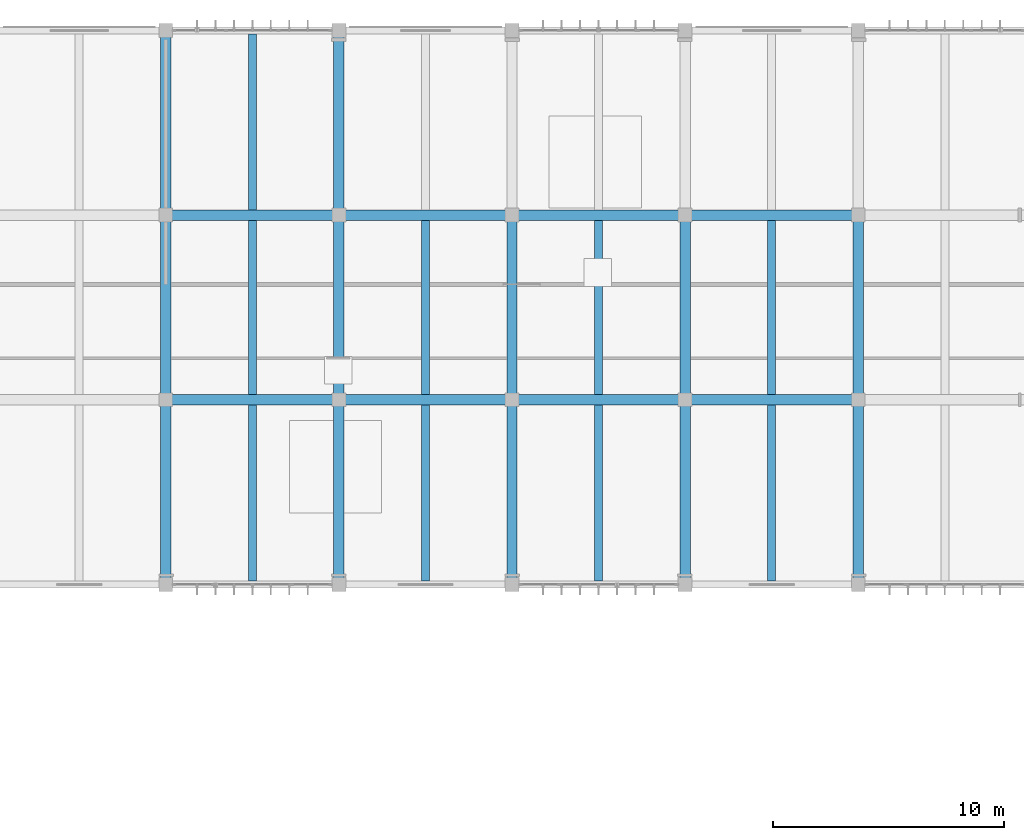
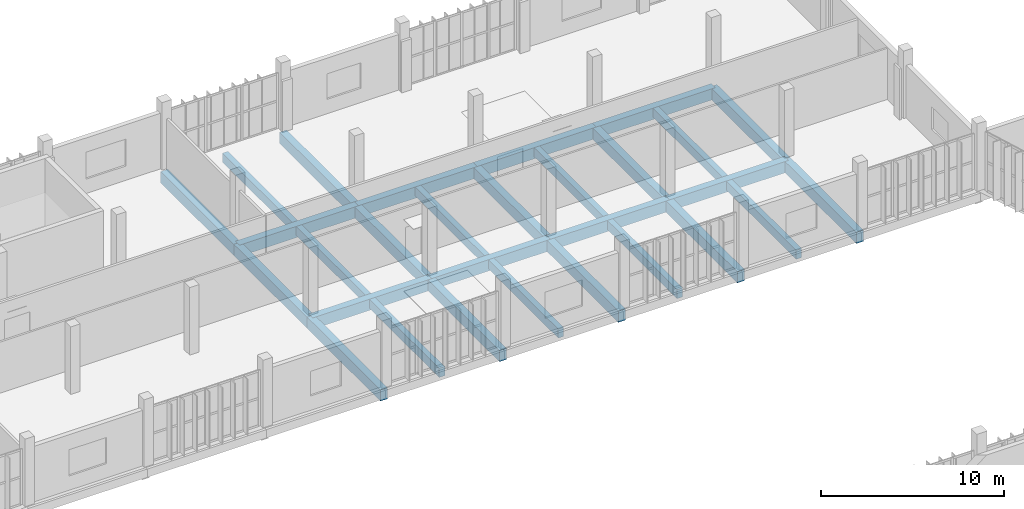
# One storey, part 25 of 81: 29 beams.
"""IFC4 building model written with IfcOpenShell, lengths in metres."""

from ifc_helpers import new_model, si_unit, direction, frame, origin, origin_2d, place, context, subcontext, project, spatial, rectangle, extrude, material, material_profile, profile_set, type_object, element, save


model = new_model("IFC4")

# Units and contexts
model_context = context("Model", 3, precision=1e-05, world=origin(), true_north=direction((0.0, 1.0)))
body_context = subcontext(model_context, "Body", "Model", "MODEL_VIEW")
ifc_project = project(units=[si_unit("LENGTHUNIT", "METRE"), si_unit("AREAUNIT", "SQUARE_METRE"), si_unit("VOLUMEUNIT", "CUBIC_METRE"), si_unit("PLANEANGLEUNIT", "RADIAN"), si_unit("MASSUNIT", "GRAM", prefix="KILO")], contexts=[model_context])

# Site, building, storey
site_placement = place(None, origin())
site = spatial("IfcSite", under=ifc_project, at=site_placement, CompositionType="ELEMENT")
building_placement = place(site_placement, origin())
building = spatial("IfcBuilding", under=site, at=building_placement, Name="Vourika Railside Aquatics Centre", CompositionType="ELEMENT")
storey_placement = place(building_placement, frame((0.0, 0.0, 4.800048828125)))
storey = spatial("IfcBuildingStorey", under=building, at=storey_placement, Name="L01", CompositionType="ELEMENT", Elevation=4.800048828125)

# Beams
ifc_material = material(Name="Concrete C35/45", Category="concrete")
ifc_material_profile_1 = material_profile(ifc_material, rectangle(XDim=0.449951171875, YDim=0.75, at=origin_2d()), Name="RC 450x750")
ifc_profile_set_1 = profile_set([ifc_material_profile_1], Name="Concrete C35/45")
beam_type_1 = type_object("IfcBeamType", Name="BM-GIRD-450x750", PredefinedType="BEAM", material=ifc_profile_set_1)
for number, where, z_axis, x_axis, name in (
    (1, (96.0, 100.0, -0.675048828125), (1.0, 0.0, 0.0), (0.0, 1.0, 0.0), "Floor Beam GX-L01-134"),
    (2, (103.5, 100.0, -0.675048828125), (1.0, 0.0, 0.0), (0.0, 1.0, 0.0), "Floor Beam GX-L01-135"),
    (3, (111.0, 100.0, -0.675048828125), (1.0, 0.0, 0.0), (0.0, 1.0, 0.0), "Floor Beam GX-L01-136"),
    (4, (118.5, 100.0, -0.675048828125), (1.0, 0.0, 0.0), (0.0, 1.0, 0.0), "Floor Beam GX-L01-137"),
    (5, (96.0, 108.0, -0.675048828125), (1.0, 0.0, 0.0), (0.0, 1.0, 0.0), "Floor Beam GX-L01-149"),
    (6, (103.5, 108.0, -0.675048828125), (1.0, 0.0, 0.0), (0.0, 1.0, 0.0), "Floor Beam GX-L01-150"),
    (7, (111.0, 108.0, -0.675048828125), (1.0, 0.0, 0.0), (0.0, 1.0, 0.0), "Floor Beam GX-L01-151"),
    (8, (118.5, 108.0, -0.675048828125), (1.0, 0.0, 0.0), (0.0, 1.0, 0.0), "Floor Beam GX-L01-152"),
):
    element("IfcBeam", number, at=place(storey_placement, frame(where, z_axis=z_axis, x_axis=x_axis)), inside=storey, type_object=beam_type_1, Name=name, PredefinedType="BEAM", context=body_context, shape_type="SweptSolid", body=[
        extrude(rectangle(XDim=0.449951171875, YDim=0.75, at=origin_2d()), origin(), (0.0, 0.0, 1.0), 7.5),
    ])
for number, where, z_axis, x_axis, name in (
    (9, (96.0, 92.0, -0.675048828125), (0.0, 1.0, 0.0), (-1.0, 0.0, 0.0), "Floor Girder GY-L01-238"),
    (10, (96.0, 100.0, -0.675048828125), (0.0, 1.0, 0.0), (-1.0, 0.0, 0.0), "Floor Girder GY-L01-239"),
    (11, (96.0, 108.0, -0.675048828125), (0.0, 1.0, 0.0), (-1.0, 0.0, 0.0), "Floor Girder GY-L01-240"),
    (12, (103.5, 92.0, -0.675048828125), (0.0, 1.0, 0.0), (-1.0, 0.0, 0.0), "Floor Girder GY-L01-244"),
    (13, (103.5, 100.0, -0.675048828125), (0.0, 1.0, 0.0), (-1.0, 0.0, 0.0), "Floor Girder GY-L01-245"),
    (14, (103.5, 108.0, -0.675048828125), (0.0, 1.0, 0.0), (-1.0, 0.0, 0.0), "Floor Girder GY-L01-246"),
    (15, (111.0, 92.0, -0.675048828125), (0.0, 1.0, 0.0), (-1.0, 0.0, 0.0), "Floor Girder GY-L01-250"),
    (16, (111.0, 100.0, -0.675048828125), (0.0, 1.0, 0.0), (-1.0, 0.0, 0.0), "Floor Girder GY-L01-251"),
    (17, (118.5, 92.0, -0.675048828125), (0.0, 1.0, 0.0), (-1.0, 0.0, 0.0), "Floor Girder GY-L01-255"),
    (18, (118.5, 100.0, -0.675048828125), (0.0, 1.0, 0.0), (-1.0, 0.0, 0.0), "Floor Girder GY-L01-256"),
    (19, (126.0, 92.0, -0.675048828125), (0.0, 1.0, 0.0), (-1.0, 0.0, 0.0), "Floor Girder GY-L01-261"),
    (20, (126.0, 100.0, -0.675048828125), (0.0, 1.0, 0.0), (-1.0, 0.0, 0.0), "Floor Girder GY-L01-262"),
):
    element("IfcBeam", number, at=place(storey_placement, frame(where, z_axis=z_axis, x_axis=x_axis)), inside=storey, type_object=beam_type_1, Name=name, PredefinedType="BEAM", context=body_context, shape_type="SweptSolid", body=[
        extrude(rectangle(XDim=0.449951171875, YDim=0.75, at=origin_2d()), origin(), (0.0, 0.0, 1.0), 8.0),
    ])
ifc_material_profile_2 = material_profile(ifc_material, rectangle(XDim=0.35009765625, YDim=0.60009765625, at=origin_2d()), Name="RC 350x600")
ifc_profile_set_2 = profile_set([ifc_material_profile_2], Name="Concrete C35/45")
beam_type_2 = type_object("IfcBeamType", Name="BM-SEC-350x600", PredefinedType="JOIST", material=ifc_profile_set_2)
for number, where, z_axis, x_axis, name in (
    (21, (99.75, 92.159912109375, -0.60009765625), (0.0, 1.0, 0.0), (-1.0, 0.0, 0.0), "Secondary Joist JY-L01-361"),
    (22, (107.25, 92.159912109375, -0.60009765625), (0.0, 1.0, 0.0), (-1.0, 0.0, 0.0), "Secondary Joist JY-L01-362"),
    (23, (114.75, 92.159912109375, -0.60009765625), (0.0, 1.0, 0.0), (-1.0, 0.0, 0.0), "Secondary Joist JY-L01-363"),
    (24, (122.25, 92.159912109375, -0.60009765625), (0.0, 1.0, 0.0), (-1.0, 0.0, 0.0), "Secondary Joist JY-L01-364"),
):
    element("IfcBeam", number, at=place(storey_placement, frame(where, z_axis=z_axis, x_axis=x_axis)), inside=storey, type_object=beam_type_2, Name=name, PredefinedType="JOIST", context=body_context, shape_type="SweptSolid", body=[
        extrude(rectangle(XDim=0.35009765625, YDim=0.60009765625, at=origin_2d()), origin(), (0.0, 0.0, 1.0), 7.614990234375),
    ])
for number, where, z_axis, x_axis, name in (
    (25, (99.75, 100.22509765625, -0.60009765625), (0.0, 1.0, 0.0), (-1.0, 0.0, 0.0), "Secondary Joist JY-L01-376"),
    (26, (107.25, 100.22509765625, -0.60009765625), (0.0, 1.0, 0.0), (-1.0, 0.0, 0.0), "Secondary Joist JY-L01-377"),
    (27, (114.75, 100.22509765625, -0.60009765625), (0.0, 1.0, 0.0), (-1.0, 0.0, 0.0), "Secondary Joist JY-L01-378"),
    (28, (122.25, 100.22509765625, -0.60009765625), (0.0, 1.0, 0.0), (-1.0, 0.0, 0.0), "Secondary Joist JY-L01-379"),
):
    element("IfcBeam", number, at=place(storey_placement, frame(where, z_axis=z_axis, x_axis=x_axis)), inside=storey, type_object=beam_type_2, Name=name, PredefinedType="JOIST", context=body_context, shape_type="SweptSolid", body=[
        extrude(rectangle(XDim=0.35009765625, YDim=0.60009765625, at=origin_2d()), origin(), (0.0, 0.0, 1.0), 7.5498046875),
    ])
beam_placement = place(storey_placement, frame((99.75, 108.22509765625, -0.60009765625), z_axis=(0.0, 1.0, 0.0), x_axis=(-1.0, 0.0, 0.0)))
element("IfcBeam", 29, at=beam_placement, inside=storey, type_object=beam_type_2, Name="Secondary Joist JY-L01-385", PredefinedType="JOIST", context=body_context, shape_type="SweptSolid", body=[
    extrude(rectangle(XDim=0.35009765625, YDim=0.60009765625, at=origin_2d()), origin(), (0.0, 0.0, 1.0), 7.614990234375),
])

save(model, "model.ifc")
